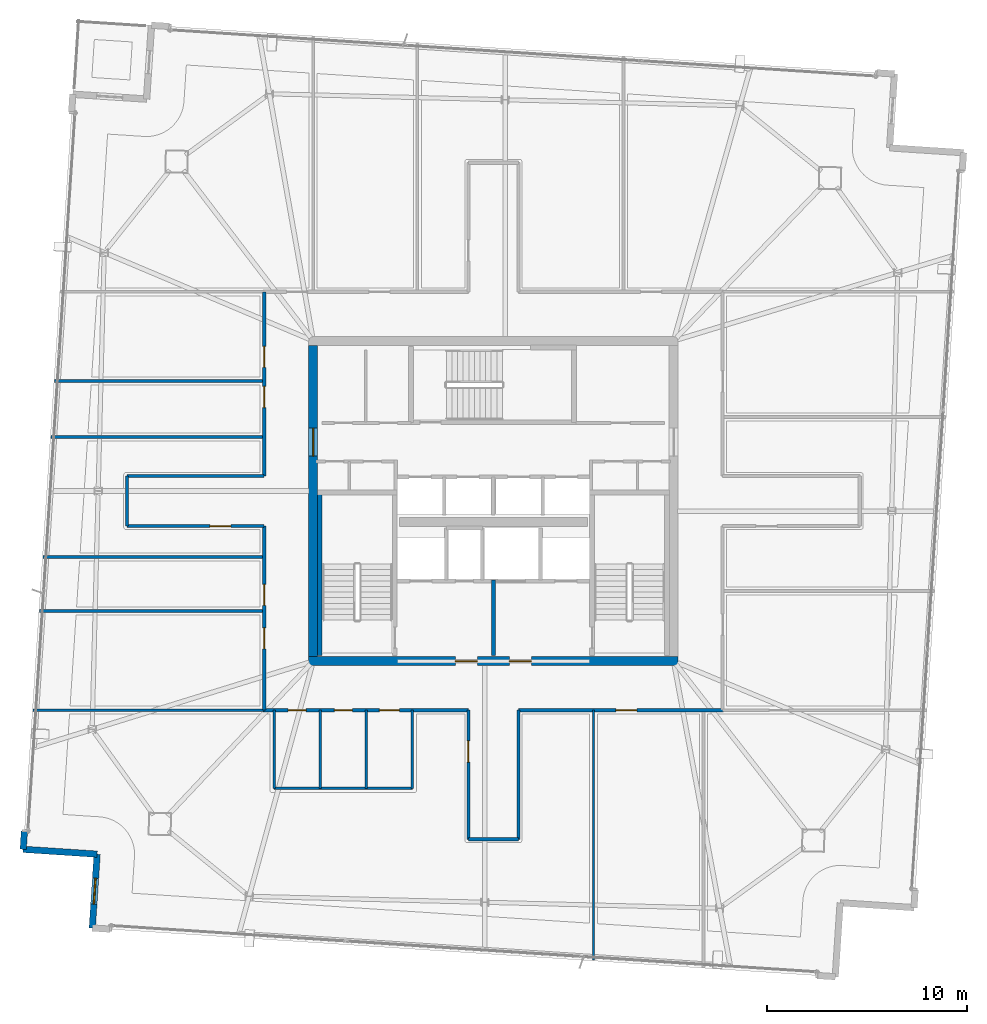
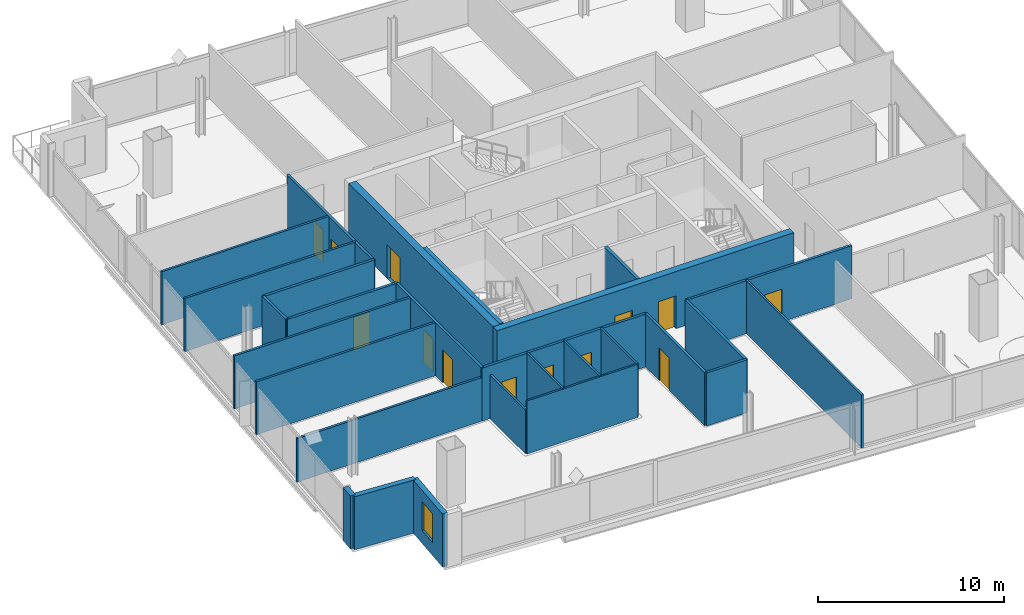
# One storey, part 18 of 24: 28 walls, 13 doors, 1 window, 14 openings.
"""IFC4 building model written with IfcOpenShell, lengths in metres."""

from ifc_helpers import new_model, si_unit, direction, frame, frame_2d, origin, place, context, subcontext, project, spatial, rectangle, extrude, material, layer, layer_set, type_object, element, fill, save


model = new_model("IFC4")

# Units and contexts
model_context = context("Model", 3, precision=1e-05, world=origin(), true_north=direction((0.0, 1.0)))
body_context = subcontext(model_context, "Body", "Model", "MODEL_VIEW")
ifc_project = project(units=[si_unit("LENGTHUNIT", "METRE"), si_unit("AREAUNIT", "SQUARE_METRE"), si_unit("VOLUMEUNIT", "CUBIC_METRE"), si_unit("PLANEANGLEUNIT", "RADIAN"), si_unit("MASSUNIT", "GRAM", prefix="KILO")], contexts=[model_context])

# Site, building, storey
site_placement = place(None, origin())
site = spatial("IfcSite", under=ifc_project, at=site_placement, CompositionType="ELEMENT")
building_placement = place(site_placement, origin())
building = spatial("IfcBuilding", under=site, at=building_placement, Name="Haldenkirk Collegiate Tower", CompositionType="ELEMENT")
storey_placement = place(building_placement, frame((0.0, 0.0, 317.699951171875)))
storey = spatial("IfcBuildingStorey", under=building, at=storey_placement, Name="L80", CompositionType="ELEMENT", Elevation=317.699951171875)

# Wall, openings, doors
ifc_material_1 = material(Name="Concrete f'c 55 MPa", Category="concrete")
ifc_layer_1 = layer(ifc_material_1, 0.449951171875)
ifc_layer_set_1 = layer_set([ifc_layer_1], Name="Concrete f'c 55 MPa")
wall_type_1 = type_object("IfcWallType", Name="WL-CORE-450", PredefinedType="SHEAR", material=ifc_layer_set_1)
wall_1_placement = place(storey_placement, frame((26.77490234375, 18.0, 0.0), z_axis=(0.0, 0.0, 1.0), x_axis=(1.0, 0.0, 0.0)))
wall_1 = element("IfcWall", 1, at=wall_1_placement, inside=storey, type_object=wall_type_1, Name="L80 central core shear wall S", PredefinedType="SHEAR", context=body_context, shape_type="SweptSolid", body=[
    extrude(rectangle(XDim=18.4501953125, YDim=0.449951171875, at=frame_2d((9.22509765625, 0.0))), origin(), (0.0, 0.0, 1.0), 3.75),
])
opening_1_placement = place(wall_1_placement, frame((7.324951171875, 0.0, 0.0)))
opening_1 = element("IfcOpeningElement", 2, at=opening_1_placement, cuts=wall_1, Name="Opening D-02", PredefinedType="OPENING", context=body_context, shape_type="SweptSolid", body=[
    extrude(rectangle(XDim=1.10009765625, YDim=2.14990234375, at=frame_2d((0.550048828125, 1.074951171875))), frame((0.0, 0.23486328125, 0.0), z_axis=(0.0, -1.0, 0.0), x_axis=(1.0, 0.0, 0.0)), (0.0, 0.0, 1.0), 0.469970703125),
])
opening_2_placement = place(wall_1_placement, frame((10.02490234375, 0.0, 0.0)))
opening_2 = element("IfcOpeningElement", 3, at=opening_2_placement, cuts=wall_1, Name="Opening D-02", PredefinedType="OPENING", context=body_context, shape_type="SweptSolid", body=[
    extrude(rectangle(XDim=1.10009765625, YDim=2.14990234375, at=frame_2d((0.550048828125, 1.074951171875))), frame((0.0, 0.23486328125, 0.0), z_axis=(0.0, -1.0, 0.0), x_axis=(1.0, 0.0, 0.0)), (0.0, 0.0, 1.0), 0.469970703125),
])
ifc_material_2 = material(Name="Galvanized fire-rated hollow steel door", Category="steel")
ifc_layer_2 = layer(ifc_material_2, 0.06005859375)
ifc_layer_set_2 = layer_set([ifc_layer_2], Name="Galvanized fire-rated hollow steel door")
door_type_1 = type_object("IfcDoorType", Name="DR-STAIR-FD90-1100", OperationType="NOTDEFINED", PredefinedType="DOOR", material=ifc_layer_set_2)
door_1_placement = place(opening_1_placement, origin())
door_1 = element("IfcDoor", 4, at=door_1_placement, inside=storey, type_object=door_type_1, Name="L80 Firefighting Lobby 1 door", OperationType="SINGLE_SWING_RIGHT", OverallHeight=2.14990234375, OverallWidth=1.10009765625, PredefinedType="DOOR", context=body_context, shape_type="SweptSolid", body=[
    extrude(rectangle(XDim=1.10009765625, YDim=2.14990234375, at=frame_2d((0.550048828125, 1.074951171875))), frame((0.0, 0.02490234375, 0.0), z_axis=(0.0, -1.0, 0.0), x_axis=(1.0, 0.0, 0.0)), (0.0, 0.0, 1.0), 0.050048828125),
])
fill(opening_1, door_1)
door_2_placement = place(opening_2_placement, origin())
door_2 = element("IfcDoor", 5, at=door_2_placement, inside=storey, type_object=door_type_1, Name="L80 Firefighting Lobby 2 door", OperationType="SINGLE_SWING_LEFT", OverallHeight=2.14990234375, OverallWidth=1.10009765625, PredefinedType="DOOR", context=body_context, shape_type="SweptSolid", body=[
    extrude(rectangle(XDim=1.10009765625, YDim=2.14990234375, at=frame_2d((0.550048828125, 1.074951171875))), frame((0.0, 0.02490234375, 0.0), z_axis=(0.0, -1.0, 0.0), x_axis=(1.0, 0.0, 0.0)), (0.0, 0.0, 1.0), 0.050048828125),
])
fill(opening_2, door_2)

# Wall, opening, door
wall_2_placement = place(storey_placement, frame((27.0, 18.22509765625, 0.0), z_axis=(0.0, 0.0, 1.0), x_axis=(0.0, 1.0, 0.0)))
wall_2 = element("IfcWall", 6, at=wall_2_placement, inside=storey, type_object=wall_type_1, Name="L80 central core shear wall W", PredefinedType="SHEAR", context=body_context, shape_type="SweptSolid", body=[
    extrude(rectangle(XDim=15.5498046875, YDim=0.449951171875, at=frame_2d((7.77490234375, 0.0))), origin(), (0.0, 0.0, 1.0), 3.75),
])
opening_3_placement = place(wall_2_placement, frame((10.014892578125, 0.0, 0.0)))
opening_3 = element("IfcOpeningElement", 7, at=opening_3_placement, cuts=wall_2, Name="Opening D-03", PredefinedType="OPENING", context=body_context, shape_type="SweptSolid", body=[
    extrude(rectangle(XDim=1.39990234375, YDim=2.199951171875, at=frame_2d((0.699951171875, 1.10009765625))), frame((0.0, 0.23486328125, 0.0), z_axis=(0.0, -1.0, 0.0), x_axis=(1.0, 0.0, 0.0)), (0.0, 0.0, 1.0), 0.469970703125),
])
ifc_layer_3 = layer(ifc_material_2, 0.06005859375)
ifc_layer_set_3 = layer_set([ifc_layer_3], Name="Galvanized fire-rated hollow steel door")
door_type_2 = type_object("IfcDoorType", Name="DR-LOBBY-FD90-1400", OperationType="NOTDEFINED", PredefinedType="DOOR", material=ifc_layer_set_3)
door_3_placement = place(opening_3_placement, origin())
door_3 = element("IfcDoor", 8, at=door_3_placement, inside=storey, type_object=door_type_2, Name="L80 west lift lobby portal", OperationType="DOUBLE_DOOR_SINGLE_SWING", OverallHeight=2.199951171875, OverallWidth=1.39990234375, PredefinedType="DOOR", context=body_context, shape_type="SweptSolid", body=[
    extrude(rectangle(XDim=1.39990234375, YDim=2.199951171875, at=frame_2d((0.699951171875, 1.10009765625))), frame((0.0, 0.02490234375, 0.0), z_axis=(0.0, -1.0, 0.0), x_axis=(1.0, 0.0, 0.0)), (0.0, 0.0, 1.0), 0.050048828125),
])
fill(opening_3, door_3)

# Walls
ifc_material_3 = material(Name="Precast concrete f'c 40 MPa", Category="concrete")
ifc_layer_4 = layer(ifc_material_3, 0.320068359375)
ifc_layer_set_4 = layer_set([ifc_layer_4], Name="Precast concrete f'c 40 MPa")
wall_type_2 = type_object("IfcWallType", Name="WL-EXT-TWR-320", PredefinedType="STANDARD", material=ifc_layer_set_4)
wall_3_placement = place(storey_placement, frame((12.51171875, 8.59912109375, 0.0), z_axis=(0.0, 0.0, 1.0), x_axis=(0.065384528081, 0.997860142248, 0.0)))
element("IfcWall", 9, at=wall_3_placement, inside=storey, type_object=wall_type_2, Name="L80 precast corner pier NL", PredefinedType="STANDARD", context=body_context, shape_type="SweptSolid", body=[
    extrude(rectangle(XDim=0.89990234375, YDim=0.320068359375, at=frame_2d((0.449951171875, 0.0))), origin(), (0.0, 0.0, 1.0), 3.489990234375),
])
wall_4_placement = place(storey_placement, frame((16.20361328125, 8.35693359375, 0.0), z_axis=(0.0, 0.0, 1.0), x_axis=(-0.997855253572, 0.065459093476, 0.0)))
element("IfcWall", 10, at=wall_4_placement, inside=storey, type_object=wall_type_2, Name="L80 bronze precast notch wall 08", PredefinedType="STANDARD", context=body_context, shape_type="SweptSolid", body=[
    extrude(rectangle(XDim=3.699951171875, YDim=0.320068359375, at=frame_2d((1.85009765625, 0.0))), origin(), (0.0, 0.0, 1.0), 3.489990234375),
])

# Wall, opening, window
wall_5_placement = place(storey_placement, frame((15.961669921875, 4.664794921875, 0.0), z_axis=(0.0, 0.0, 1.0), x_axis=(0.065389083196, 0.997859843765, 0.0)))
wall_5 = element("IfcWall", 11, at=wall_5_placement, inside=storey, type_object=wall_type_2, Name="L80 bronze precast notch wall 09", PredefinedType="STANDARD", context=body_context, shape_type="SweptSolid", body=[
    extrude(rectangle(XDim=3.699951171875, YDim=0.320068359375, at=frame_2d((1.85009765625, 0.0))), origin(), (0.0, 0.0, 1.0), 3.489990234375),
])
opening_4_placement = place(wall_5_placement, frame((1.199951171875, 0.0, 0.85009765625)))
opening_4 = element("IfcOpeningElement", 12, at=opening_4_placement, cuts=wall_5, Name="Opening W-08", PredefinedType="OPENING", context=body_context, shape_type="SweptSolid", body=[
    extrude(rectangle(XDim=1.300048828125, YDim=1.89990234375, at=frame_2d((0.64990234375, 0.949951171875))), frame((0.0, 0.169921875, 0.0), z_axis=(0.0, -1.0, 0.0), x_axis=(1.0, 0.0, 0.0)), (0.0, 0.0, 1.0), 0.340087890625),
])
ifc_material_4 = material(Name="Low-E argon triple insulating glass", Category="glass")
ifc_layer_5 = layer(ifc_material_4, 0.090087890625)
ifc_layer_set_5 = layer_set([ifc_layer_5], Name="Low-E argon triple insulating glass")
window_type = type_object("IfcWindowType", Name="WN-Z6-1300X1900", PartitioningType="SINGLE_PANEL", PredefinedType="WINDOW", material=ifc_layer_set_5)
window_placement = place(opening_4_placement, origin())
window = element("IfcWindow", 13, at=window_placement, inside=storey, type_object=window_type, Name="L80 precast-frame academic window 8", OverallHeight=1.89990234375, OverallWidth=1.300048828125, PartitioningType="SINGLE_PANEL", PredefinedType="WINDOW", context=body_context, shape_type="SweptSolid", body=[
    extrude(rectangle(XDim=1.300048828125, YDim=1.89990234375, at=frame_2d((0.64990234375, 0.949951171875))), frame((0.0, 0.030029296875, 0.0), z_axis=(0.0, -1.0, 0.0), x_axis=(1.0, 0.0, 0.0)), (0.0, 0.0, 1.0), 0.06005859375),
])
fill(opening_4, window)

# Wall, openings, doors
ifc_material_5 = material(Name="Acoustic fire-rated gypsum partition", Category="concrete")
ifc_layer_6 = layer(ifc_material_5, 0.159912109375)
ifc_layer_set_6 = layer_set([ifc_layer_6], Name="Acoustic fire-rated gypsum partition")
wall_type_3 = type_object("IfcWallType", Name="WL-INT-CORR-160", PredefinedType="PARTITIONING", material=ifc_layer_set_6)
wall_6_placement = place(storey_placement, frame((24.5, 15.550048828125, 0.0), z_axis=(0.0, 0.0, 1.0), x_axis=(1.0, 0.0, 0.0)))
wall_6 = element("IfcWall", 14, at=wall_6_placement, inside=storey, type_object=wall_type_3, Name="L80 interior partition IW-L80-CS1", PredefinedType="PARTITIONING", context=body_context, shape_type="SweptSolid", body=[
    extrude(rectangle(XDim=10.25, YDim=0.159912109375, at=frame_2d((5.125, 0.0))), origin(), (0.0, 0.0, 1.0), 3.489990234375),
])
opening_5_placement = place(wall_6_placement, frame((1.25, 0.0, 0.0)))
opening_5 = element("IfcOpeningElement", 15, at=opening_5_placement, cuts=wall_6, Name="Opening D-13", PredefinedType="OPENING", context=body_context, shape_type="SweptSolid", body=[
    extrude(rectangle(XDim=0.89990234375, YDim=2.14990234375, at=frame_2d((0.449951171875, 1.074951171875))), frame((0.0, 0.08984375, 0.0), z_axis=(0.0, -1.0, 0.0), x_axis=(1.0, 0.0, 0.0)), (0.0, 0.0, 1.0), 0.179931640625),
])
opening_6_placement = place(wall_6_placement, frame((3.550048828125, 0.0, 0.0)))
opening_6 = element("IfcOpeningElement", 16, at=opening_6_placement, cuts=wall_6, Name="Opening D-13", PredefinedType="OPENING", context=body_context, shape_type="SweptSolid", body=[
    extrude(rectangle(XDim=0.89990234375, YDim=2.14990234375, at=frame_2d((0.449951171875, 1.074951171875))), frame((0.0, 0.08984375, 0.0), z_axis=(0.0, -1.0, 0.0), x_axis=(1.0, 0.0, 0.0)), (0.0, 0.0, 1.0), 0.179931640625),
])
opening_7_placement = place(wall_6_placement, frame((5.800048828125, 0.0, 0.0)))
opening_7 = element("IfcOpeningElement", 17, at=opening_7_placement, cuts=wall_6, Name="Opening D-14", PredefinedType="OPENING", context=body_context, shape_type="SweptSolid", body=[
    extrude(rectangle(XDim=1.0, YDim=2.14990234375, at=frame_2d((0.5, 1.074951171875))), frame((0.0, 0.08984375, 0.0), z_axis=(0.0, -1.0, 0.0), x_axis=(1.0, 0.0, 0.0)), (0.0, 0.0, 1.0), 0.179931640625),
])
ifc_material_6 = material(Name="Solid-core architectural oak fire door", Category="wood")
ifc_layer_7 = layer(ifc_material_6, 0.06005859375)
ifc_layer_set_7 = layer_set([ifc_layer_7], Name="Solid-core architectural oak fire door")
door_type_3 = type_object("IfcDoorType", Name="DR-INT-ACC-1000", OperationType="NOTDEFINED", PredefinedType="DOOR", material=ifc_layer_set_7)
door_4_placement = place(opening_7_placement, origin())
door_4 = element("IfcDoor", 18, at=door_4_placement, inside=storey, type_object=door_type_3, Name="L80 Accessible WC door", OperationType="SINGLE_SWING_LEFT", OverallHeight=2.14990234375, OverallWidth=1.0, PredefinedType="DOOR", context=body_context, shape_type="SweptSolid", body=[
    extrude(rectangle(XDim=1.0, YDim=2.14990234375, at=frame_2d((0.5, 1.074951171875))), frame((0.0, 0.02490234375, 0.0), z_axis=(0.0, -1.0, 0.0), x_axis=(1.0, 0.0, 0.0)), (0.0, 0.0, 1.0), 0.050048828125),
])
fill(opening_7, door_4)
ifc_layer_8 = layer(ifc_material_6, 0.06005859375)
ifc_layer_set_8 = layer_set([ifc_layer_8], Name="Solid-core architectural oak fire door")
door_type_4 = type_object("IfcDoorType", Name="DR-INT-STD-900", OperationType="NOTDEFINED", PredefinedType="DOOR", material=ifc_layer_set_8)
door_5_placement = place(opening_5_placement, origin())
door_5 = element("IfcDoor", 19, at=door_5_placement, inside=storey, type_object=door_type_4, Name="L80 Male WC door", OperationType="SINGLE_SWING_LEFT", OverallHeight=2.14990234375, OverallWidth=0.89990234375, PredefinedType="DOOR", context=body_context, shape_type="SweptSolid", body=[
    extrude(rectangle(XDim=0.89990234375, YDim=2.14990234375, at=frame_2d((0.449951171875, 1.074951171875))), frame((0.0, 0.02490234375, 0.0), z_axis=(0.0, -1.0, 0.0), x_axis=(1.0, 0.0, 0.0)), (0.0, 0.0, 1.0), 0.050048828125),
])
fill(opening_5, door_5)
door_6_placement = place(opening_6_placement, origin())
door_6 = element("IfcDoor", 20, at=door_6_placement, inside=storey, type_object=door_type_4, Name="L80 Female WC door", OperationType="SINGLE_SWING_RIGHT", OverallHeight=2.14990234375, OverallWidth=0.89990234375, PredefinedType="DOOR", context=body_context, shape_type="SweptSolid", body=[
    extrude(rectangle(XDim=0.89990234375, YDim=2.14990234375, at=frame_2d((0.449951171875, 1.074951171875))), frame((0.0, 0.02490234375, 0.0), z_axis=(0.0, -1.0, 0.0), x_axis=(1.0, 0.0, 0.0)), (0.0, 0.0, 1.0), 0.050048828125),
])
fill(opening_6, door_6)

# Wall, opening, door
wall_7_placement = place(storey_placement, frame((37.25, 15.550048828125, 0.0), z_axis=(0.0, 0.0, 1.0), x_axis=(1.0, 0.0, 0.0)))
wall_7 = element("IfcWall", 21, at=wall_7_placement, inside=storey, type_object=wall_type_3, Name="L80 interior partition IW-L80-CS2", PredefinedType="PARTITIONING", context=body_context, shape_type="SweptSolid", body=[
    extrude(rectangle(XDim=10.25, YDim=0.159912109375, at=frame_2d((5.125, 0.0))), origin(), (0.0, 0.0, 1.0), 3.489990234375),
])
opening_8_placement = place(wall_7_placement, frame((4.864990234375, 0.0, 0.0)))
opening_8 = element("IfcOpeningElement", 22, at=opening_8_placement, cuts=wall_7, Name="Opening D-09", PredefinedType="OPENING", context=body_context, shape_type="SweptSolid", body=[
    extrude(rectangle(XDim=1.050048828125, YDim=2.14990234375, at=frame_2d((0.52490234375, 1.074951171875))), frame((0.0, 0.08984375, 0.0), z_axis=(0.0, -1.0, 0.0), x_axis=(1.0, 0.0, 0.0)), (0.0, 0.0, 1.0), 0.179931640625),
])
ifc_layer_9 = layer(ifc_material_6, 0.06005859375)
ifc_layer_set_9 = layer_set([ifc_layer_9], Name="Solid-core architectural oak fire door")
door_type_5 = type_object("IfcDoorType", Name="DR-INT-FD60-1050", OperationType="NOTDEFINED", PredefinedType="DOOR", material=ifc_layer_set_9)
door_7_placement = place(opening_8_placement, origin())
door_7 = element("IfcDoor", 23, at=door_7_placement, inside=storey, type_object=door_type_5, Name="L80 Rare Folio Vault 2 door", OperationType="SINGLE_SWING_LEFT", OverallHeight=2.14990234375, OverallWidth=1.050048828125, PredefinedType="DOOR", context=body_context, shape_type="SweptSolid", body=[
    extrude(rectangle(XDim=1.050048828125, YDim=2.14990234375, at=frame_2d((0.52490234375, 1.074951171875))), frame((0.0, 0.02490234375, 0.0), z_axis=(0.0, -1.0, 0.0), x_axis=(1.0, 0.0, 0.0)), (0.0, 0.0, 1.0), 0.050048828125),
])
fill(opening_8, door_7)

# Wall, openings, doors
wall_8_placement = place(storey_placement, frame((24.550048828125, 15.550048828125, 0.0), z_axis=(0.0, 0.0, 1.0), x_axis=(0.0, 1.0, 0.0)))
wall_8 = element("IfcWall", 24, at=wall_8_placement, inside=storey, type_object=wall_type_3, Name="L80 interior partition IW-L80-CW1", PredefinedType="PARTITIONING", context=body_context, shape_type="SweptSolid", body=[
    extrude(rectangle(XDim=9.199951171875, YDim=0.159912109375, at=frame_2d((4.60009765625, 0.0))), origin(), (0.0, 0.0, 1.0), 3.489990234375),
])
opening_9_placement = place(wall_8_placement, frame((3.06689453125, 0.0, 0.0)))
opening_9 = element("IfcOpeningElement", 25, at=opening_9_placement, cuts=wall_8, Name="Opening D-09", PredefinedType="OPENING", context=body_context, shape_type="SweptSolid", body=[
    extrude(rectangle(XDim=1.050048828125, YDim=2.14990234375, at=frame_2d((0.52490234375, 1.074951171875))), frame((0.0, 0.08984375, 0.0), z_axis=(0.0, -1.0, 0.0), x_axis=(1.0, 0.0, 0.0)), (0.0, 0.0, 1.0), 0.179931640625),
])
opening_10_placement = place(wall_8_placement, frame((5.22998046875, 0.0, 0.0)))
opening_10 = element("IfcOpeningElement", 26, at=opening_10_placement, cuts=wall_8, Name="Opening D-09", PredefinedType="OPENING", context=body_context, shape_type="SweptSolid", body=[
    extrude(rectangle(XDim=1.050048828125, YDim=2.14990234375, at=frame_2d((0.52490234375, 1.074951171875))), frame((0.0, 0.08984375, 0.0), z_axis=(0.0, -1.0, 0.0), x_axis=(1.0, 0.0, 0.0)), (0.0, 0.0, 1.0), 0.179931640625),
])
door_8_placement = place(opening_9_placement, origin())
door_8 = element("IfcDoor", 27, at=door_8_placement, inside=storey, type_object=door_type_5, Name="L80 Rare Folio Vault 8 door", OperationType="SINGLE_SWING_LEFT", OverallHeight=2.14990234375, OverallWidth=1.050048828125, PredefinedType="DOOR", context=body_context, shape_type="SweptSolid", body=[
    extrude(rectangle(XDim=1.050048828125, YDim=2.14990234375, at=frame_2d((0.52490234375, 1.074951171875))), frame((0.0, 0.02490234375, 0.0), z_axis=(0.0, -1.0, 0.0), x_axis=(1.0, 0.0, 0.0)), (0.0, 0.0, 1.0), 0.050048828125),
])
fill(opening_9, door_8)
door_9_placement = place(opening_10_placement, origin())
door_9 = element("IfcDoor", 28, at=door_9_placement, inside=storey, type_object=door_type_5, Name="L80 Treaty Archive Store 9 door", OperationType="SINGLE_SWING_RIGHT", OverallHeight=2.14990234375, OverallWidth=1.050048828125, PredefinedType="DOOR", context=body_context, shape_type="SweptSolid", body=[
    extrude(rectangle(XDim=1.050048828125, YDim=2.14990234375, at=frame_2d((0.52490234375, 1.074951171875))), frame((0.0, 0.02490234375, 0.0), z_axis=(0.0, -1.0, 0.0), x_axis=(1.0, 0.0, 0.0)), (0.0, 0.0, 1.0), 0.050048828125),
])
fill(opening_10, door_9)

wall_9_placement = place(storey_placement, frame((24.550048828125, 27.25, 0.0), z_axis=(0.0, 0.0, 1.0), x_axis=(0.0, 1.0, 0.0)))
wall_9 = element("IfcWall", 29, at=wall_9_placement, inside=storey, type_object=wall_type_3, Name="L80 interior partition IW-L80-CW2", PredefinedType="PARTITIONING", context=body_context, shape_type="SweptSolid", body=[
    extrude(rectangle(XDim=9.199951171875, YDim=0.159912109375, at=frame_2d((4.60009765625, 0.0))), origin(), (0.0, 0.0, 1.0), 3.489990234375),
])
opening_11_placement = place(wall_9_placement, frame((3.419921875, 0.0, 0.0)))
opening_11 = element("IfcOpeningElement", 30, at=opening_11_placement, cuts=wall_9, Name="Opening D-09", PredefinedType="OPENING", context=body_context, shape_type="SweptSolid", body=[
    extrude(rectangle(XDim=1.050048828125, YDim=2.14990234375, at=frame_2d((0.52490234375, 1.074951171875))), frame((0.0, 0.08984375, 0.0), z_axis=(0.0, -1.0, 0.0), x_axis=(1.0, 0.0, 0.0)), (0.0, 0.0, 1.0), 0.179931640625),
])
opening_12_placement = place(wall_9_placement, frame((5.423095703125, 0.0, 0.0)))
opening_12 = element("IfcOpeningElement", 31, at=opening_12_placement, cuts=wall_9, Name="Opening D-09", PredefinedType="OPENING", context=body_context, shape_type="SweptSolid", body=[
    extrude(rectangle(XDim=1.050048828125, YDim=2.14990234375, at=frame_2d((0.52490234375, 1.074951171875))), frame((0.0, 0.08984375, 0.0), z_axis=(0.0, -1.0, 0.0), x_axis=(1.0, 0.0, 0.0)), (0.0, 0.0, 1.0), 0.179931640625),
])
door_10_placement = place(opening_11_placement, origin())
door_10 = element("IfcDoor", 32, at=door_10_placement, inside=storey, type_object=door_type_5, Name="L80 Reading Commons Lounge 11 door", OperationType="SINGLE_SWING_RIGHT", OverallHeight=2.14990234375, OverallWidth=1.050048828125, PredefinedType="DOOR", context=body_context, shape_type="SweptSolid", body=[
    extrude(rectangle(XDim=1.050048828125, YDim=2.14990234375, at=frame_2d((0.52490234375, 1.074951171875))), frame((0.0, 0.02490234375, 0.0), z_axis=(0.0, -1.0, 0.0), x_axis=(1.0, 0.0, 0.0)), (0.0, 0.0, 1.0), 0.050048828125),
])
fill(opening_11, door_10)
door_11_placement = place(opening_12_placement, origin())
door_11 = element("IfcDoor", 33, at=door_11_placement, inside=storey, type_object=door_type_5, Name="L80 Periodical Reading Lounge 12 door", OperationType="SINGLE_SWING_LEFT", OverallHeight=2.14990234375, OverallWidth=1.050048828125, PredefinedType="DOOR", context=body_context, shape_type="SweptSolid", body=[
    extrude(rectangle(XDim=1.050048828125, YDim=2.14990234375, at=frame_2d((0.52490234375, 1.074951171875))), frame((0.0, 0.02490234375, 0.0), z_axis=(0.0, -1.0, 0.0), x_axis=(1.0, 0.0, 0.0)), (0.0, 0.0, 1.0), 0.050048828125),
])
fill(opening_12, door_11)

# Wall, opening, door
wall_10_placement = place(storey_placement, frame((34.75, 9.10009765625, 0.0), z_axis=(0.0, 0.0, 1.0), x_axis=(0.0, 1.0, 0.0)))
wall_10 = element("IfcWall", 34, at=wall_10_placement, inside=storey, type_object=wall_type_3, Name="L80 interior partition IW-L80-SPW", PredefinedType="PARTITIONING", context=body_context, shape_type="SweptSolid", body=[
    extrude(rectangle(XDim=6.449951171875, YDim=0.159912109375, at=frame_2d((3.22509765625, 0.0))), origin(), (0.0, 0.0, 1.0), 3.489990234375),
])
opening_13_placement = place(wall_10_placement, frame((3.861083984375, 0.0, 0.0)))
opening_13 = element("IfcOpeningElement", 35, at=opening_13_placement, cuts=wall_10, Name="Opening D-09", PredefinedType="OPENING", context=body_context, shape_type="SweptSolid", body=[
    extrude(rectangle(XDim=1.050048828125, YDim=2.14990234375, at=frame_2d((0.52490234375, 1.074951171875))), frame((0.0, 0.08984375, 0.0), z_axis=(0.0, -1.0, 0.0), x_axis=(1.0, 0.0, 0.0)), (0.0, 0.0, 1.0), 0.179931640625),
])
door_12_placement = place(opening_13_placement, origin())
door_12 = element("IfcDoor", 36, at=door_12_placement, inside=storey, type_object=door_type_5, Name="L80 Special Collections Archive 1 door", OperationType="SINGLE_SWING_RIGHT", OverallHeight=2.14990234375, OverallWidth=1.050048828125, PredefinedType="DOOR", context=body_context, shape_type="SweptSolid", body=[
    extrude(rectangle(XDim=1.050048828125, YDim=2.14990234375, at=frame_2d((0.52490234375, 1.074951171875))), frame((0.0, 0.02490234375, 0.0), z_axis=(0.0, -1.0, 0.0), x_axis=(1.0, 0.0, 0.0)), (0.0, 0.0, 1.0), 0.050048828125),
])
fill(opening_13, door_12)

# Walls
wall_11_placement = place(storey_placement, frame((37.25, 9.10009765625, 0.0), z_axis=(0.0, 0.0, 1.0), x_axis=(0.0, 1.0, 0.0)))
element("IfcWall", 37, at=wall_11_placement, inside=storey, type_object=wall_type_3, Name="L80 interior partition IW-L80-SPE", PredefinedType="PARTITIONING", context=body_context, shape_type="SweptSolid", body=[
    extrude(rectangle(XDim=6.449951171875, YDim=0.159912109375, at=frame_2d((3.22509765625, 0.0))), origin(), (0.0, 0.0, 1.0), 3.489990234375),
])
wall_12_placement = place(storey_placement, frame((34.75, 9.10009765625, 0.0), z_axis=(0.0, 0.0, 1.0), x_axis=(1.0, 0.0, 0.0)))
element("IfcWall", 38, at=wall_12_placement, inside=storey, type_object=wall_type_3, Name="L80 interior partition IW-L80-SPS", PredefinedType="PARTITIONING", context=body_context, shape_type="SweptSolid", body=[
    extrude(rectangle(XDim=2.5, YDim=0.159912109375, at=frame_2d((1.25, 0.0))), origin(), (0.0, 0.0, 1.0), 3.489990234375),
])

# Wall, opening, door
wall_13_placement = place(storey_placement, frame((17.699951171875, 24.75, 0.0), z_axis=(0.0, 0.0, 1.0), x_axis=(1.0, 0.0, 0.0)))
wall_13 = element("IfcWall", 39, at=wall_13_placement, inside=storey, type_object=wall_type_3, Name="L80 interior partition IW-L80-WPS", PredefinedType="PARTITIONING", context=body_context, shape_type="SweptSolid", body=[
    extrude(rectangle(XDim=6.85009765625, YDim=0.159912109375, at=frame_2d((3.425048828125, 0.0))), origin(), (0.0, 0.0, 1.0), 3.489990234375),
])
opening_14_placement = place(wall_13_placement, frame((4.133056640625, 0.0, 0.0)))
opening_14 = element("IfcOpeningElement", 40, at=opening_14_placement, cuts=wall_13, Name="Opening D-09", PredefinedType="OPENING", context=body_context, shape_type="SweptSolid", body=[
    extrude(rectangle(XDim=1.050048828125, YDim=2.14990234375, at=frame_2d((0.52490234375, 1.074951171875))), frame((0.0, 0.08984375, 0.0), z_axis=(0.0, -1.0, 0.0), x_axis=(1.0, 0.0, 0.0)), (0.0, 0.0, 1.0), 0.179931640625),
])
door_13_placement = place(opening_14_placement, origin())
door_13 = element("IfcDoor", 41, at=door_13_placement, inside=storey, type_object=door_type_5, Name="L80 Student Reading Lounge 10 door", OperationType="SINGLE_SWING_LEFT", OverallHeight=2.14990234375, OverallWidth=1.050048828125, PredefinedType="DOOR", context=body_context, shape_type="SweptSolid", body=[
    extrude(rectangle(XDim=1.050048828125, YDim=2.14990234375, at=frame_2d((0.52490234375, 1.074951171875))), frame((0.0, 0.02490234375, 0.0), z_axis=(0.0, -1.0, 0.0), x_axis=(1.0, 0.0, 0.0)), (0.0, 0.0, 1.0), 0.050048828125),
])
fill(opening_14, door_13)

# Walls
wall_14_placement = place(storey_placement, frame((17.699951171875, 27.25, 0.0), z_axis=(0.0, 0.0, 1.0), x_axis=(1.0, 0.0, 0.0)))
element("IfcWall", 42, at=wall_14_placement, inside=storey, type_object=wall_type_3, Name="L80 interior partition IW-L80-WPN", PredefinedType="PARTITIONING", context=body_context, shape_type="SweptSolid", body=[
    extrude(rectangle(XDim=6.85009765625, YDim=0.159912109375, at=frame_2d((3.425048828125, 0.0))), origin(), (0.0, 0.0, 1.0), 3.489990234375),
])
wall_15_placement = place(storey_placement, frame((17.699951171875, 24.75, 0.0), z_axis=(0.0, 0.0, 1.0), x_axis=(0.0, 1.0, 0.0)))
element("IfcWall", 43, at=wall_15_placement, inside=storey, type_object=wall_type_3, Name="L80 interior partition IW-L80-WPW", PredefinedType="PARTITIONING", context=body_context, shape_type="SweptSolid", body=[
    extrude(rectangle(XDim=2.5, YDim=0.159912109375, at=frame_2d((1.25, 0.0))), origin(), (0.0, 0.0, 1.0), 3.489990234375),
])
ifc_layer_10 = layer(ifc_material_5, 0.139892578125)
ifc_layer_set_10 = layer_set([ifc_layer_10], Name="Acoustic fire-rated gypsum partition")
wall_type_4 = type_object("IfcWallType", Name="WL-INT-DIV-140", PredefinedType="PARTITIONING", material=ifc_layer_set_10)
wall_16_placement = place(storey_placement, frame((13.00732421875, 15.550048828125, 0.0), z_axis=(0.0, 0.0, 1.0), x_axis=(1.0, 0.0, 0.0)))
element("IfcWall", 44, at=wall_16_placement, inside=storey, type_object=wall_type_4, Name="L80 interior partition IW-L80-BWS", PredefinedType="PARTITIONING", context=body_context, shape_type="SweptSolid", body=[
    extrude(rectangle(XDim=11.542724609375, YDim=0.139892578125, at=frame_2d((5.771484375, 0.0))), origin(), (0.0, 0.0, 1.0), 2.8681640625),
])
wall_17_placement = place(storey_placement, frame((13.331787109375, 20.5, 0.0), z_axis=(0.0, 0.0, 1.0), x_axis=(1.0, 0.0, 0.0)))
element("IfcWall", 45, at=wall_17_placement, inside=storey, type_object=wall_type_4, Name="L80 interior partition IW-L80-RW1", PredefinedType="PARTITIONING", context=body_context, shape_type="SweptSolid", body=[
    extrude(rectangle(XDim=11.21826171875, YDim=0.139892578125, at=frame_2d((5.609130859375, 0.0))), origin(), (0.0, 0.0, 1.0), 3.489990234375),
])
wall_18_placement = place(storey_placement, frame((13.5087890625, 23.199951171875, 0.0), z_axis=(0.0, 0.0, 1.0), x_axis=(1.0, 0.0, 0.0)))
element("IfcWall", 46, at=wall_18_placement, inside=storey, type_object=wall_type_4, Name="L80 interior partition IW-L80-RW2", PredefinedType="PARTITIONING", context=body_context, shape_type="SweptSolid", body=[
    extrude(rectangle(XDim=11.041259765625, YDim=0.139892578125, at=frame_2d((5.5205078125, 0.0))), origin(), (0.0, 0.0, 1.0), 3.489990234375),
])
wall_19_placement = place(storey_placement, frame((13.902099609375, 29.199951171875, 0.0), z_axis=(0.0, 0.0, 1.0), x_axis=(1.0, 0.0, 0.0)))
element("IfcWall", 47, at=wall_19_placement, inside=storey, type_object=wall_type_4, Name="L80 interior partition IW-L80-RW3", PredefinedType="PARTITIONING", context=body_context, shape_type="SweptSolid", body=[
    extrude(rectangle(XDim=10.64794921875, YDim=0.139892578125, at=frame_2d((5.323974609375, 0.0))), origin(), (0.0, 0.0, 1.0), 3.489990234375),
])
wall_20_placement = place(storey_placement, frame((14.08544921875, 32.0, 0.0), z_axis=(0.0, 0.0, 1.0), x_axis=(1.0, 0.0, 0.0)))
element("IfcWall", 48, at=wall_20_placement, inside=storey, type_object=wall_type_4, Name="L80 interior partition IW-L80-RW4", PredefinedType="PARTITIONING", context=body_context, shape_type="SweptSolid", body=[
    extrude(rectangle(XDim=10.464599609375, YDim=0.139892578125, at=frame_2d((5.232421875, 0.0))), origin(), (0.0, 0.0, 1.0), 3.489990234375),
])
ifc_material_7 = material(Name="Fire-rated gypsum shaftboard assembly", Category="concrete")
ifc_layer_11 = layer(ifc_material_7, 0.199951171875)
ifc_layer_set_11 = layer_set([ifc_layer_11], Name="Fire-rated gypsum shaftboard assembly")
wall_type_5 = type_object("IfcWallType", Name="WL-INT-SHAFT-200", PredefinedType="PARTITIONING", material=ifc_layer_set_11)
wall_21_placement = place(storey_placement, frame((36.0, 18.280029296875, 0.0), z_axis=(0.0, 0.0, 1.0), x_axis=(0.0, 1.0, 0.0)))
element("IfcWall", 49, at=wall_21_placement, inside=storey, type_object=wall_type_5, Name="L80 interior partition IW-L80-FFLM", PredefinedType="PARTITIONING", context=body_context, shape_type="SweptSolid", body=[
    extrude(rectangle(XDim=3.77001953125, YDim=0.199951171875, at=frame_2d((1.885009765625, 0.0))), origin(), (0.0, 0.0, 1.0), 3.489990234375),
])
ifc_layer_12 = layer(ifc_material_5, 0.1201171875)
ifc_layer_set_12 = layer_set([ifc_layer_12], Name="Acoustic fire-rated gypsum partition")
wall_type_6 = type_object("IfcWallType", Name="WL-INT-WET-120", PredefinedType="PARTITIONING", material=ifc_layer_set_12)
wall_22_placement = place(storey_placement, frame((25.050048828125, 11.64990234375, 0.0), z_axis=(0.0, 0.0, 1.0), x_axis=(0.0, 1.0, 0.0)))
element("IfcWall", 50, at=wall_22_placement, inside=storey, type_object=wall_type_6, Name="L80 interior partition IW-L80-WCW", PredefinedType="PARTITIONING", context=body_context, shape_type="SweptSolid", body=[
    extrude(rectangle(XDim=3.900146484375, YDim=0.1201171875, at=frame_2d((1.9501953125, 0.0))), origin(), (0.0, 0.0, 1.0), 2.8681640625),
])
for number, where, z_axis, x_axis, name in (
    (51, (27.35009765625, 11.64990234375, 0.0), (0.0, 0.0, 1.0), (0.0, 1.0, 0.0), "L80 interior partition IW-L80-WC1"),
    (52, (29.64990234375, 11.64990234375, 0.0), (0.0, 0.0, 1.0), (0.0, 1.0, 0.0), "L80 interior partition IW-L80-WC2"),
    (53, (31.949951171875, 11.64990234375, 0.0), (0.0, 0.0, 1.0), (0.0, 1.0, 0.0), "L80 interior partition IW-L80-WCE"),
):
    element("IfcWall", number, at=place(storey_placement, frame(where, z_axis=z_axis, x_axis=x_axis)), inside=storey, type_object=wall_type_6, Name=name, PredefinedType="PARTITIONING", context=body_context, shape_type="SweptSolid", body=[
        extrude(rectangle(XDim=3.900146484375, YDim=0.1201171875, at=frame_2d((1.9501953125, 0.0))), origin(), (0.0, 0.0, 1.0), 3.489990234375),
    ])
wall_23_placement = place(storey_placement, frame((25.050048828125, 11.64990234375, 0.0), z_axis=(0.0, 0.0, 1.0), x_axis=(1.0, 0.0, 0.0)))
element("IfcWall", 54, at=wall_23_placement, inside=storey, type_object=wall_type_6, Name="L80 interior partition IW-L80-WCB", PredefinedType="PARTITIONING", context=body_context, shape_type="SweptSolid", body=[
    extrude(rectangle(XDim=6.89990234375, YDim=0.1201171875, at=frame_2d((3.449951171875, 0.0))), origin(), (0.0, 0.0, 1.0), 3.489990234375),
])
wall_24_placement = place(storey_placement, frame((41.0, 3.06396484375, 0.0), z_axis=(0.0, 0.0, 1.0), x_axis=(0.0, 1.0, 0.0)))
element("IfcWall", 55, at=wall_24_placement, inside=storey, type_object=wall_type_6, Name="L80 interior partition IW-L80-RS1", PredefinedType="PARTITIONING", context=body_context, shape_type="SweptSolid", body=[
    extrude(rectangle(XDim=12.486083984375, YDim=0.1201171875, at=frame_2d((6.2431640625, 0.0))), origin(), (0.0, 0.0, 1.0), 3.489990234375),
])
ifc_layer_13 = layer(ifc_material_1, 0.239990234375)
ifc_layer_set_13 = layer_set([ifc_layer_13], Name="Concrete f'c 55 MPa")
wall_type_7 = type_object("IfcWallType", Name="WL-SHAFT-240", PredefinedType="SHEAR", material=ifc_layer_set_13)
wall_25_placement = place(storey_placement, frame((27.330078125, 18.280029296875, 0.0), z_axis=(0.0, 0.0, 1.0), x_axis=(0.0, 1.0, 0.0)))
element("IfcWall", 56, at=wall_25_placement, inside=storey, type_object=wall_type_7, Name="L80 stair shaft shear wall SW-L80-ST1W", PredefinedType="SHEAR", context=body_context, shape_type="SweptSolid", body=[
    extrude(rectangle(XDim=8.260009765625, YDim=0.239990234375, at=frame_2d((4.1298828125, 0.0))), origin(), (0.0, 0.0, 1.0), 3.75),
])

save(model, "model.ifc")
